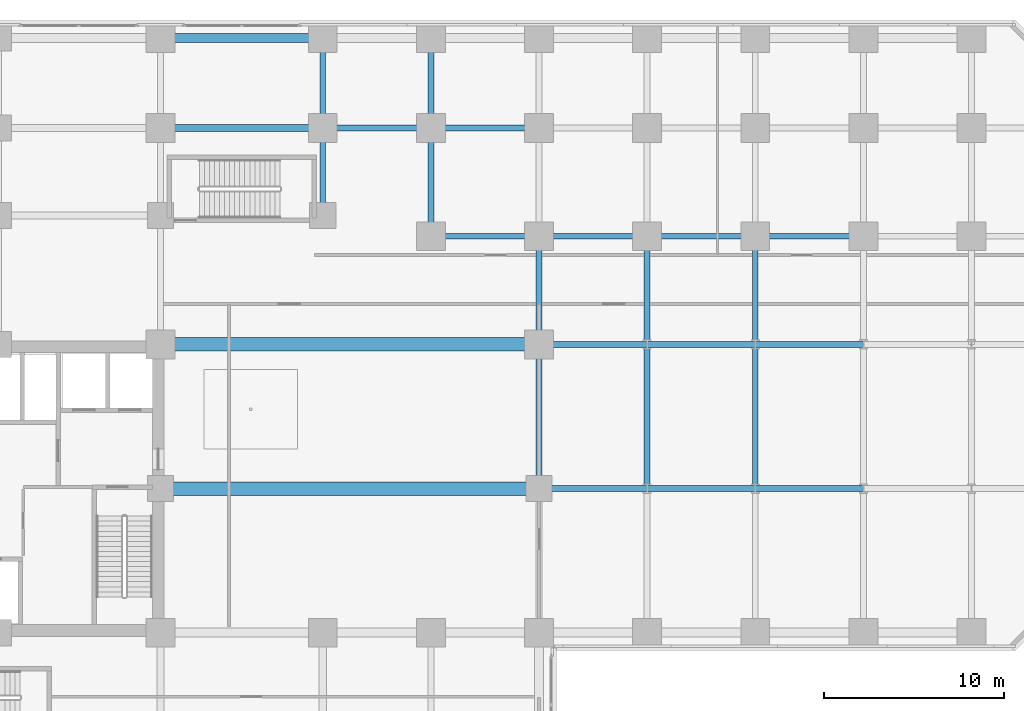
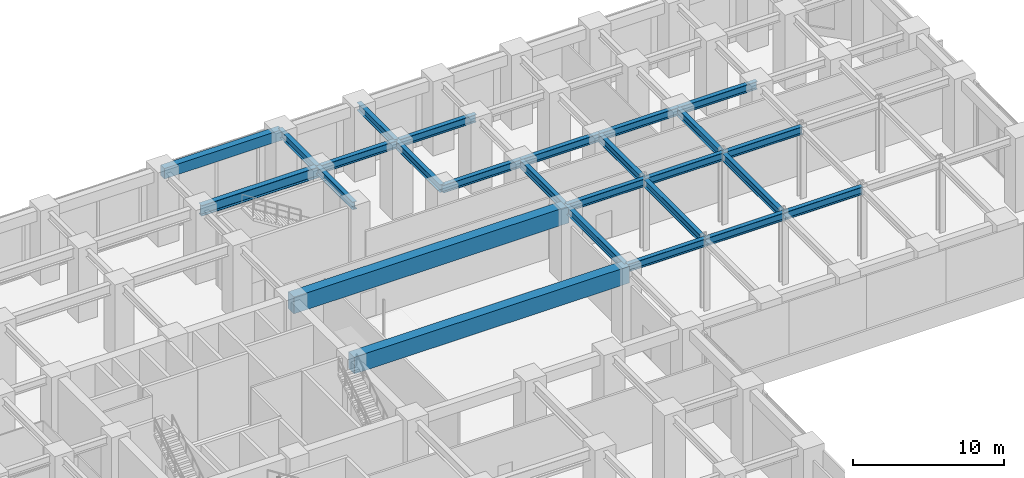
# One storey, part 19 of 34: 26 beams.
"""IFC4 building model written with IfcOpenShell, lengths in metres."""

from ifc_helpers import new_model, si_unit, direction, frame, origin, origin_2d, place, context, subcontext, project, spatial, rectangle, i_section, extrude, source, transform, mapped, material, material_profile, profile_set, type_object, element, save


model = new_model("IFC4")

# Units and contexts
model_context = context("Model", 3, precision=1e-05, world=origin(), true_north=direction((0.0, 1.0)))
body_context = subcontext(model_context, "Body", "Model", "MODEL_VIEW")
ifc_project = project(units=[si_unit("LENGTHUNIT", "METRE"), si_unit("AREAUNIT", "SQUARE_METRE"), si_unit("VOLUMEUNIT", "CUBIC_METRE"), si_unit("PLANEANGLEUNIT", "RADIAN"), si_unit("MASSUNIT", "GRAM", prefix="KILO")], contexts=[model_context])

# Site, building, storey
site_placement = place(None, origin())
site = spatial("IfcSite", under=ifc_project, at=site_placement, CompositionType="ELEMENT")
building_placement = place(site_placement, origin())
building = spatial("IfcBuilding", under=site, at=building_placement, Name="Torre Montelarca", CompositionType="ELEMENT")
storey_placement = place(building_placement, frame((0.0, 0.0, 6.0)))
storey = spatial("IfcBuildingStorey", under=building, at=storey_placement, Name="L02", CompositionType="ELEMENT", Elevation=6.0)

# Beams
ifc_material_1 = material(Name="Concrete C55/67", Category="concrete")
ifc_material_profile_1 = material_profile(ifc_material_1, rectangle(XDim=0.5, YDim=0.85009765625, at=origin_2d()), Name="RCB500X850", Category="concrete")
ifc_profile_set_1 = profile_set([ifc_material_profile_1], Name="Concrete C55/67")
beam_type_1 = type_object("IfcBeamType", Name="BM-SP-RC850-EXT", PredefinedType="SPANDREL", material=ifc_profile_set_1)
shared_shape_1 = source(origin(), body_context, "Body", "SweptSolid", [
    extrude(rectangle(XDim=0.5, YDim=0.85009765625, at=origin_2d()), origin(), (0.0, 0.0, 1.0), 9.0),
])
beam_1_placement = place(storey_placement, frame((27.0, 57.0, 5.31494140625), z_axis=(1.0, 0.0, 0.0), x_axis=(0.0, 1.0, 0.0)))
element("IfcBeam", 1, at=beam_1_placement, inside=storey, type_object=beam_type_1, Name="L02 Grid Girder X 27.0-36.0 at Y=57.0", PredefinedType="SPANDREL", context=body_context, shape_type="MappedRepresentation", body=[
    mapped(shared_shape_1, transform((0.0, 0.0, 0.0), scale=1.0)),
])
ifc_material_2 = material(Name="Steel ASTM A992 Grade 50", Category="steel")
ifc_material_profile_2 = material_profile(ifc_material_2, i_section(OverallWidth=0.39990234375, OverallDepth=0.85498046875, WebThickness=0.018310546875, FlangeThickness=0.029296875, FilletRadius=0.02001953125, at=origin_2d()), Name="W840X299", Category="steel")
ifc_profile_set_2 = profile_set([ifc_material_profile_2], Name="Steel ASTM A992 Grade 50")
beam_type_2 = type_object("IfcBeamType", Name="BM-G-W840", PredefinedType="BEAM", material=ifc_profile_set_2)
shared_shape_2 = source(origin(), body_context, "Body", "SweptSolid", [
    extrude(i_section(OverallWidth=0.39990234375, OverallDepth=0.85498046875, WebThickness=0.018310546875, FlangeThickness=0.029296875, FilletRadius=0.02001953125, at=origin_2d()), origin(), (0.0, 0.0, 1.0), 9.0),
])
beam_2_placement = place(storey_placement, frame((27.0, 52.0, 5.31201171875), z_axis=(1.0, 0.0, 0.0), x_axis=(0.0, 1.0, 0.0)))
element("IfcBeam", 2, at=beam_2_placement, inside=storey, type_object=beam_type_2, Name="L02 Grid Girder X 27.0-36.0 at Y=52.0", PredefinedType="BEAM", context=body_context, shape_type="MappedRepresentation", body=[
    mapped(shared_shape_2, transform((0.0, 0.0, 0.0), scale=1.0)),
])
ifc_material_profile_3 = material_profile(ifc_material_2, i_section(OverallWidth=0.326904296875, OverallDepth=0.6220703125, WebThickness=0.015380859375, FlangeThickness=0.0244140625, FilletRadius=0.014892578125, at=origin_2d()), Name="W610X195", Category="steel")
ifc_profile_set_3 = profile_set([ifc_material_profile_3], Name="Steel ASTM A992 Grade 50")
beam_type_3 = type_object("IfcBeamType", Name="BM-G-W610H", PredefinedType="BEAM", material=ifc_profile_set_3)
shared_shape_3 = source(origin(), body_context, "Body", "SweptSolid", [
    extrude(i_section(OverallWidth=0.326904296875, OverallDepth=0.6220703125, WebThickness=0.015380859375, FlangeThickness=0.0244140625, FilletRadius=0.014892578125, at=origin_2d()), origin(), (0.0, 0.0, 1.0), 6.0),
])
for number, where, z_axis, x_axis, name in (
    (3, (48.0, 32.0, 5.428955078125), (1.0, 0.0, 0.0), (0.0, 1.0, 0.0), "L02 Grid Girder X 48.0-54.0 at Y=32.0"),
    (4, (54.0, 32.0, 5.428955078125), (1.0, 0.0, 0.0), (0.0, 1.0, 0.0), "L02 Grid Girder X 54.0-60.0 at Y=32.0"),
    (5, (60.0, 32.0, 5.428955078125), (1.0, 0.0, 0.0), (0.0, 1.0, 0.0), "L02 Grid Girder X 60.0-66.0 at Y=32.0"),
    (6, (48.0, 40.0, 5.428955078125), (1.0, 0.0, 0.0), (0.0, 1.0, 0.0), "L02 Grid Girder X 48.0-54.0 at Y=40.0"),
    (7, (54.0, 40.0, 5.428955078125), (1.0, 0.0, 0.0), (0.0, 1.0, 0.0), "L02 Grid Girder X 54.0-60.0 at Y=40.0"),
    (8, (60.0, 40.0, 5.428955078125), (1.0, 0.0, 0.0), (0.0, 1.0, 0.0), "L02 Grid Girder X 60.0-66.0 at Y=40.0"),
    (9, (42.0, 46.0, 5.428955078125), (1.0, 0.0, 0.0), (0.0, 1.0, 0.0), "L02 Grid Girder X 42.0-48.0 at Y=46.0"),
    (10, (48.0, 46.0, 5.428955078125), (1.0, 0.0, 0.0), (0.0, 1.0, 0.0), "L02 Grid Girder X 48.0-54.0 at Y=46.0"),
    (11, (54.0, 46.0, 5.428955078125), (1.0, 0.0, 0.0), (0.0, 1.0, 0.0), "L02 Grid Girder X 54.0-60.0 at Y=46.0"),
    (12, (60.0, 46.0, 5.428955078125), (1.0, 0.0, 0.0), (0.0, 1.0, 0.0), "L02 Grid Girder X 60.0-66.0 at Y=46.0"),
    (13, (36.0, 52.0, 5.428955078125), (1.0, 0.0, 0.0), (0.0, 1.0, 0.0), "L02 Grid Girder X 36.0-42.0 at Y=52.0"),
    (14, (42.0, 52.0, 5.428955078125), (1.0, 0.0, 0.0), (0.0, 1.0, 0.0), "L02 Grid Girder X 42.0-48.0 at Y=52.0"),
    (15, (42.0, 46.0, 5.428955078125), (0.0, 1.0, 0.0), (-1.0, 0.0, 0.0), "L02 Grid Girder Y 46.0-52.0 at X=42.0"),
    (16, (48.0, 40.0, 5.428955078125), (0.0, 1.0, 0.0), (-1.0, 0.0, 0.0), "L02 Grid Girder Y 40.0-46.0 at X=48.0"),
    (17, (54.0, 40.0, 5.428955078125), (0.0, 1.0, 0.0), (-1.0, 0.0, 0.0), "L02 Grid Girder Y 40.0-46.0 at X=54.0"),
    (18, (60.0, 40.0, 5.428955078125), (0.0, 1.0, 0.0), (-1.0, 0.0, 0.0), "L02 Grid Girder Y 40.0-46.0 at X=60.0"),
):
    element("IfcBeam", number, at=place(storey_placement, frame(where, z_axis=z_axis, x_axis=x_axis)), inside=storey, type_object=beam_type_3, Name=name, PredefinedType="BEAM", context=body_context, shape_type="MappedRepresentation", body=[
        mapped(shared_shape_3, transform((0.0, 0.0, 0.0), scale=1.0)),
    ])
shared_shape_4 = source(origin(), body_context, "Body", "SweptSolid", [
    extrude(i_section(OverallWidth=0.326904296875, OverallDepth=0.6220703125, WebThickness=0.015380859375, FlangeThickness=0.0244140625, FilletRadius=0.014892578125, at=origin_2d()), origin(), (0.0, 0.0, 1.0), 8.0),
])
for number, where, z_axis, x_axis, name in (
    (19, (48.0, 32.0, 5.428955078125), (0.0, 1.0, 0.0), (-1.0, 0.0, 0.0), "L02 Grid Girder Y 32.0-40.0 at X=48.0"),
    (20, (54.0, 32.0, 5.428955078125), (0.0, 1.0, 0.0), (-1.0, 0.0, 0.0), "L02 Grid Girder Y 32.0-40.0 at X=54.0"),
    (21, (60.0, 32.0, 5.428955078125), (0.0, 1.0, 0.0), (-1.0, 0.0, 0.0), "L02 Grid Girder Y 32.0-40.0 at X=60.0"),
):
    element("IfcBeam", number, at=place(storey_placement, frame(where, z_axis=z_axis, x_axis=x_axis)), inside=storey, type_object=beam_type_3, Name=name, PredefinedType="BEAM", context=body_context, shape_type="MappedRepresentation", body=[
        mapped(shared_shape_4, transform((0.0, 0.0, 0.0), scale=1.0)),
    ])
shared_shape_5 = source(origin(), body_context, "Body", "SweptSolid", [
    extrude(i_section(OverallWidth=0.326904296875, OverallDepth=0.6220703125, WebThickness=0.015380859375, FlangeThickness=0.0244140625, FilletRadius=0.014892578125, at=origin_2d()), origin(), (0.0, 0.0, 1.0), 4.85009765625),
])
beam_3_placement = place(storey_placement, frame((36.0, 47.14990234375, 5.428955078125), z_axis=(0.0, 1.0, 0.0), x_axis=(-1.0, 0.0, 0.0)))
element("IfcBeam", 22, at=beam_3_placement, inside=storey, type_object=beam_type_3, Name="L02 Grid Girder Y 47.1-52.0 at X=36.0", PredefinedType="BEAM", context=body_context, shape_type="MappedRepresentation", body=[
    mapped(shared_shape_5, transform((0.0, 0.0, 0.0), scale=1.0)),
])
shared_shape_6 = source(origin(), body_context, "Body", "SweptSolid", [
    extrude(i_section(OverallWidth=0.326904296875, OverallDepth=0.6220703125, WebThickness=0.015380859375, FlangeThickness=0.0244140625, FilletRadius=0.014892578125, at=origin_2d()), origin(), (0.0, 0.0, 1.0), 5.0),
])
for number, where, z_axis, x_axis, name in (
    (23, (36.0, 52.0, 5.428955078125), (0.0, 1.0, 0.0), (-1.0, 0.0, 0.0), "L02 Grid Girder Y 52.0-57.0 at X=36.0"),
    (24, (42.0, 52.0, 5.428955078125), (0.0, 1.0, 0.0), (-1.0, 0.0, 0.0), "L02 Grid Girder Y 52.0-57.0 at X=42.0"),
):
    element("IfcBeam", number, at=place(storey_placement, frame(where, z_axis=z_axis, x_axis=x_axis)), inside=storey, type_object=beam_type_3, Name=name, PredefinedType="BEAM", context=body_context, shape_type="MappedRepresentation", body=[
        mapped(shared_shape_6, transform((0.0, 0.0, 0.0), scale=1.0)),
    ])
ifc_material_profile_4 = material_profile(ifc_material_1, rectangle(XDim=0.75, YDim=1.35009765625, at=origin_2d()), Name="RCB750X1350", Category="concrete")
ifc_profile_set_4 = profile_set([ifc_material_profile_4], Name="Concrete C55/67")
beam_type_4 = type_object("IfcBeamType", Name="BM-TB-RC1350", PredefinedType="T_BEAM", material=ifc_profile_set_4)
shared_shape_7 = source(origin(), body_context, "Body", "SweptSolid", [
    extrude(rectangle(XDim=0.75, YDim=1.35009765625, at=origin_2d()), origin(), (0.0, 0.0, 1.0), 21.0),
])
for number, where, z_axis, x_axis, name in (
    (25, (27.0, 32.0, 5.06494140625), (1.0, 0.0, 0.0), (0.0, 1.0, 0.0), "L02 Long-Span Hall T-Beam Y=32m"),
    (26, (27.0, 40.0, 5.06494140625), (1.0, 0.0, 0.0), (0.0, 1.0, 0.0), "L02 Long-Span Hall T-Beam Y=40m"),
):
    element("IfcBeam", number, at=place(storey_placement, frame(where, z_axis=z_axis, x_axis=x_axis)), inside=storey, type_object=beam_type_4, Name=name, PredefinedType="T_BEAM", context=body_context, shape_type="MappedRepresentation", body=[
        mapped(shared_shape_7, transform((0.0, 0.0, 0.0), scale=1.0)),
    ])

save(model, "model.ifc")
